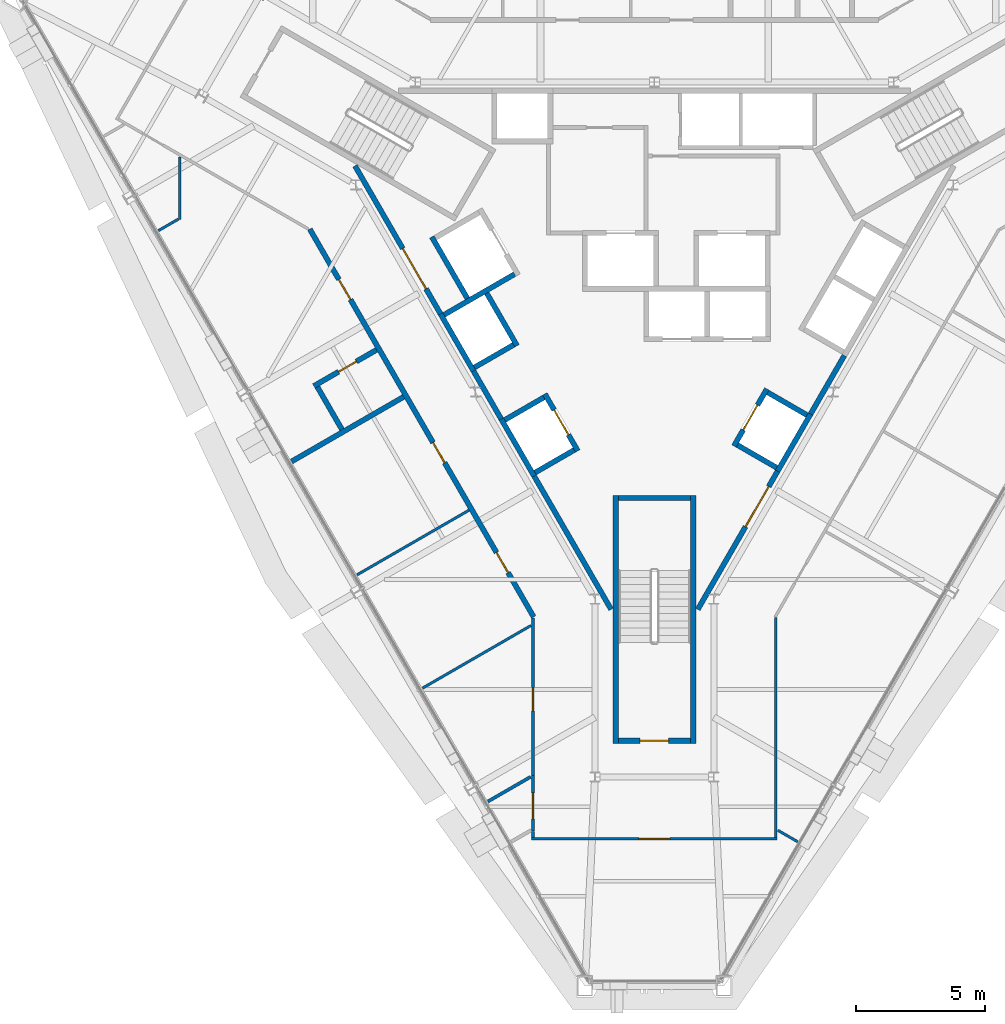
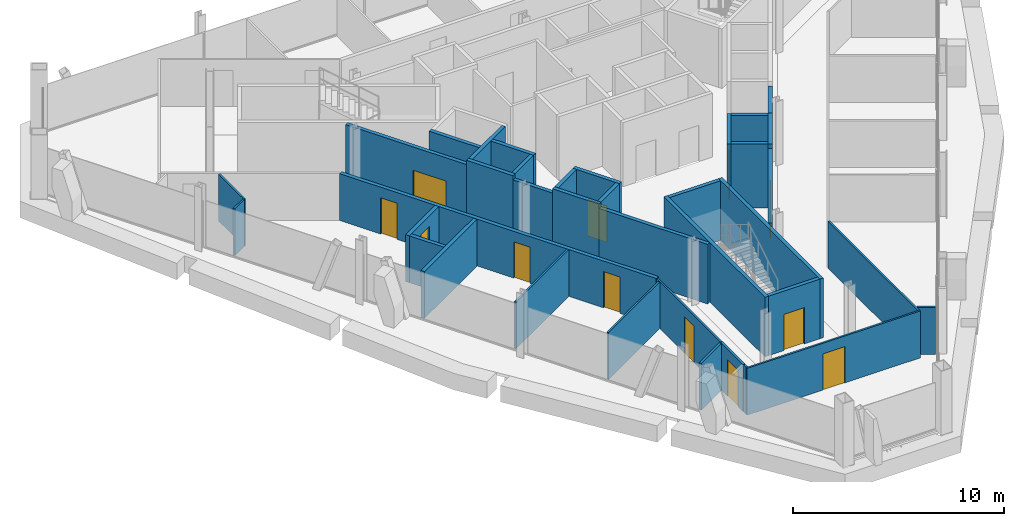
# One storey, part 9 of 14: 37 walls, 12 doors, 12 openings.
"""IFC4 building model written with IfcOpenShell, lengths in metres."""

from ifc_helpers import new_model, si_unit, direction, frame, frame_2d, origin, place, context, subcontext, project, spatial, rectangle, extrude, material, layer, layer_set, type_object, element, fill, save


model = new_model("IFC4")

# Units and contexts
model_context = context("Model", 3, precision=1e-05, world=origin(), true_north=direction((0.0, 1.0)))
body_context = subcontext(model_context, "Body", "Model", "MODEL_VIEW")
ifc_project = project(units=[si_unit("LENGTHUNIT", "METRE"), si_unit("AREAUNIT", "SQUARE_METRE"), si_unit("VOLUMEUNIT", "CUBIC_METRE"), si_unit("PLANEANGLEUNIT", "RADIAN"), si_unit("MASSUNIT", "GRAM", prefix="KILO")], contexts=[model_context])

# Site, building, storey
site_placement = place(None, origin())
site = spatial("IfcSite", under=ifc_project, at=site_placement, CompositionType="ELEMENT")
building_placement = place(site_placement, origin())
building = spatial("IfcBuilding", under=site, at=building_placement, Name="Verrane Prism Tower", CompositionType="ELEMENT")
storey_placement = place(building_placement, frame((0.0, 0.0, 224.89990234375)))
storey = spatial("IfcBuildingStorey", under=building, at=storey_placement, Name="L56", CompositionType="ELEMENT", Elevation=224.89990234375)

# Wall, opening, door
ifc_material_1 = material(Name="Gypsum board partition", Category="other")
ifc_layer_1 = layer(ifc_material_1, 0.199951171875)
ifc_layer_set_1 = layer_set([ifc_layer_1], Name="CW-200 core boundary wall 2 h")
wall_type_1 = type_object("IfcWallType", Name="CW-200 core boundary wall 2 h", PredefinedType="PARTITIONING", material=ifc_layer_set_1)
wall_1_placement = place(storey_placement, frame((-11.590576171875, 4.7548828125, 0.0), z_axis=(0.0, 0.0, 1.0), x_axis=(0.500043977787, -0.866000011708, 0.0)))
wall_1 = element("IfcWall", 1, at=wall_1_placement, inside=storey, type_object=wall_type_1, Name="Core boundary wall CW3-001", PredefinedType="PARTITIONING", context=body_context, shape_type="SweptSolid", body=[
    extrude(rectangle(XDim=6.61669921875, YDim=0.199951171875, at=frame_2d((3.308349609375, 0.0))), origin(), (0.0, 0.0, 1.0), 3.4501953125),
])
opening_1_placement = place(wall_1_placement, frame((3.695068359375, 0.0, 0.0)))
opening_1 = element("IfcOpeningElement", 2, at=opening_1_placement, cuts=wall_1, Name="Opening D54510", PredefinedType="OPENING", context=body_context, shape_type="SweptSolid", body=[
    extrude(rectangle(XDim=1.800048828125, YDim=2.10009765625, at=frame_2d((0.89990234375, 1.050048828125))), frame((0.0, 0.10986328125, 0.0), z_axis=(0.0, -1.0, 0.0), x_axis=(1.0, 0.0, 0.0)), (0.0, 0.0, 1.0), 0.219970703125),
])
ifc_material_2 = material(Name="Timber veneered door leaf", Category="wood")
door_type_1 = type_object("IfcDoorType", Name="DR-1800x2100 FD60 double leaf lift lobby", OperationType="NOTDEFINED", PredefinedType="DOOR", material=ifc_material_2)
door_1_placement = place(opening_1_placement, origin())
door_1 = element("IfcDoor", 3, at=door_1_placement, inside=storey, type_object=door_type_1, Name="Lift lobby door D54510", OperationType="DOUBLE_DOOR_SINGLE_SWING", OverallHeight=2.10009765625, OverallWidth=1.800048828125, PredefinedType="DOOR", context=body_context, shape_type="SweptSolid", body=[
    extrude(rectangle(XDim=1.800048828125, YDim=2.10009765625, at=frame_2d((0.89990234375, 1.050048828125))), frame((0.0, 0.02490234375, 0.0), z_axis=(0.0, -1.0, 0.0), x_axis=(1.0, 0.0, 0.0)), (0.0, 0.0, 1.0), 0.050048828125),
])
fill(opening_1, door_1)

# Walls
wall_2_placement = place(storey_placement, frame((-7.0048828125, -3.18701171875, 0.0), z_axis=(0.0, 0.0, 1.0), x_axis=(0.499689606989, -0.866204535123, 0.0)))
element("IfcWall", 4, at=wall_2_placement, inside=storey, type_object=wall_type_1, Name="Core boundary wall CW3-003", PredefinedType="PARTITIONING", context=body_context, shape_type="SweptSolid", body=[
    extrude(rectangle(XDim=2.144775390625, YDim=0.199951171875, at=frame_2d((1.072265625, 0.0))), origin(), (0.0, 0.0, 1.0), 3.4501953125),
])
wall_3_placement = place(storey_placement, frame((-4.655029296875, -7.257080078125, 0.0), z_axis=(0.0, 0.0, 1.0), x_axis=(0.499966124405, -0.866044960985, 0.0)))
element("IfcWall", 5, at=wall_3_placement, inside=storey, type_object=wall_type_1, Name="Core boundary wall CW3-004", PredefinedType="PARTITIONING", context=body_context, shape_type="SweptSolid", body=[
    extrude(rectangle(XDim=5.95556640625, YDim=0.199951171875, at=frame_2d((2.977783203125, 0.0))), origin(), (0.0, 0.0, 1.0), 3.4501953125),
])

# Wall, opening, door
wall_4_placement = place(storey_placement, frame((1.677490234375, -12.414794921875, 0.0), z_axis=(0.0, 0.0, 1.0), x_axis=(0.500054337157, 0.865994029939, 0.0)))
wall_4 = element("IfcWall", 6, at=wall_4_placement, inside=storey, type_object=wall_type_1, Name="Core boundary wall CW3-006", PredefinedType="PARTITIONING", context=body_context, shape_type="SweptSolid", body=[
    extrude(rectangle(XDim=6.176513671875, YDim=0.199951171875, at=frame_2d((3.08837890625, 0.0))), origin(), (0.0, 0.0, 1.0), 3.4501953125),
])
opening_2_placement = place(wall_4_placement, frame((3.695068359375, 0.0, 0.0)))
opening_2 = element("IfcOpeningElement", 7, at=opening_2_placement, cuts=wall_4, Name="Opening D54515", PredefinedType="OPENING", context=body_context, shape_type="SweptSolid", body=[
    extrude(rectangle(XDim=1.800048828125, YDim=2.10009765625, at=frame_2d((0.89990234375, 1.050048828125))), frame((0.0, 0.10986328125, 0.0), z_axis=(0.0, -1.0, 0.0), x_axis=(1.0, 0.0, 0.0)), (0.0, 0.0, 1.0), 0.219970703125),
])
door_2_placement = place(opening_2_placement, origin())
door_2 = element("IfcDoor", 8, at=door_2_placement, inside=storey, type_object=door_type_1, Name="Lift lobby door D54515", OperationType="DOUBLE_DOOR_SINGLE_SWING", OverallHeight=2.10009765625, OverallWidth=1.800048828125, PredefinedType="DOOR", context=body_context, shape_type="SweptSolid", body=[
    extrude(rectangle(XDim=1.800048828125, YDim=2.10009765625, at=frame_2d((0.89990234375, 1.050048828125))), frame((0.0, 0.02490234375, 0.0), z_axis=(0.0, -1.0, 0.0), x_axis=(1.0, 0.0, 0.0)), (0.0, 0.0, 1.0), 0.050048828125),
])
fill(opening_2, door_2)

# Wall
wall_5_placement = place(storey_placement, frame((6.0419921875, -4.85498046875, 0.0), z_axis=(0.0, 0.0, 1.0), x_axis=(0.500252727967, 0.865879442048, 0.0)))
element("IfcWall", 9, at=wall_5_placement, inside=storey, type_object=wall_type_1, Name="Core boundary wall CW3-007", PredefinedType="PARTITIONING", context=body_context, shape_type="SweptSolid", body=[
    extrude(rectangle(XDim=2.616943359375, YDim=0.199951171875, at=frame_2d((1.30859375, 0.0))), origin(), (0.0, 0.0, 1.0), 3.4501953125),
])

# Wall, opening, door
ifc_material_3 = material(Name="Concrete C40/50", Category="concrete")
ifc_layer_2 = layer(ifc_material_3, 0.199951171875)
ifc_layer_set_2 = layer_set([ifc_layer_2], Name="CW-200 stair core wall concrete C40/50 3 h")
wall_type_2 = type_object("IfcWallType", Name="CW-200 stair core wall concrete C40/50 3 h", PredefinedType="PARTITIONING", material=ifc_layer_set_2)
wall_6_placement = place(storey_placement, frame((-1.39990234375, -17.5, 0.0), z_axis=(0.0, 0.0, 1.0), x_axis=(1.0, 0.0, 0.0)))
wall_6 = element("IfcWall", 10, at=wall_6_placement, inside=storey, type_object=wall_type_2, Name="Stair 3 enclosure wall", PredefinedType="PARTITIONING", context=body_context, shape_type="SweptSolid", body=[
    extrude(rectangle(XDim=2.7998046875, YDim=0.199951171875, at=frame_2d((1.39990234375, 0.0))), origin(), (0.0, 0.0, 1.0), 3.4501953125),
])
opening_3_placement = place(wall_6_placement, frame((0.85009765625, 0.0, 0.0)))
opening_3 = element("IfcOpeningElement", 11, at=opening_3_placement, cuts=wall_6, Name="Opening D54502", PredefinedType="OPENING", context=body_context, shape_type="SweptSolid", body=[
    extrude(rectangle(XDim=1.10009765625, YDim=2.10009765625, at=frame_2d((0.550048828125, 1.050048828125))), frame((0.0, 0.10986328125, 0.0), z_axis=(0.0, -1.0, 0.0), x_axis=(1.0, 0.0, 0.0)), (0.0, 0.0, 1.0), 0.219970703125),
])
ifc_material_4 = material(Name="Timber veneered door leaf", Category="wood")
door_type_2 = type_object("IfcDoorType", Name="DR-1100x2100 FD90 single leaf stair", OperationType="NOTDEFINED", PredefinedType="DOOR", material=ifc_material_4)
door_3_placement = place(opening_3_placement, origin())
door_3 = element("IfcDoor", 12, at=door_3_placement, inside=storey, type_object=door_type_2, Name="Stair 3 door", OperationType="SINGLE_SWING_LEFT", OverallHeight=2.10009765625, OverallWidth=1.10009765625, PredefinedType="DOOR", context=body_context, shape_type="SweptSolid", body=[
    extrude(rectangle(XDim=1.10009765625, YDim=2.10009765625, at=frame_2d((0.550048828125, 1.050048828125))), frame((0.0, 0.02490234375, 0.0), z_axis=(0.0, -1.0, 0.0), x_axis=(1.0, 0.0, 0.0)), (0.0, 0.0, 1.0), 0.050048828125),
])
fill(opening_3, door_3)

# Walls
for number, where, z_axis, x_axis, name in (
    (13, (1.5, -8.0, 0.0), (0.0, 0.0, 1.0), (0.0, -1.0, 0.0), "Stair 3 enclosure wall"),
    (14, (-1.5, -8.0, 0.0), (0.0, 0.0, 1.0), (0.0, -1.0, 0.0), "Stair 3 enclosure wall"),
):
    element("IfcWall", number, at=place(storey_placement, frame(where, z_axis=z_axis, x_axis=x_axis)), inside=storey, type_object=wall_type_2, Name=name, PredefinedType="PARTITIONING", context=body_context, shape_type="SweptSolid", body=[
        extrude(rectangle(XDim=9.60009765625, YDim=0.199951171875, at=frame_2d((4.800048828125, 0.0))), origin(), (0.0, 0.0, 1.0), 3.4501953125),
    ])
wall_7_placement = place(storey_placement, frame((-1.39990234375, -8.10009765625, 0.0), z_axis=(0.0, 0.0, 1.0), x_axis=(1.0, 0.0, 0.0)))
element("IfcWall", 15, at=wall_7_placement, inside=storey, type_object=wall_type_2, Name="Stair 3 enclosure wall", PredefinedType="PARTITIONING", context=body_context, shape_type="SweptSolid", body=[
    extrude(rectangle(XDim=2.7998046875, YDim=0.199951171875, at=frame_2d((1.39990234375, 0.0))), origin(), (0.0, 0.0, 1.0), 3.4501953125),
])
ifc_material_5 = material(Name="Gypsum board shaft wall assembly", Category="other")
ifc_layer_3 = layer(ifc_material_5, 0.199951171875)
ifc_layer_set_3 = layer_set([ifc_layer_3], Name="HW-200 lift shaft wall 2 h")
wall_type_3 = type_object("IfcWallType", Name="HW-200 lift shaft wall 2 h", PredefinedType="PARTITIONING", material=ifc_layer_set_3)
for number, where, z_axis, x_axis, name in (
    (16, (-4.61962890625, -7.118408203125, 0.0), (0.0, 0.0, 1.0), (0.866036909293, 0.499980071345, 0.0), "Lift shaft wall"),
    (17, (-5.794677734375, -5.083251953125, 0.0), (0.0, 0.0, 1.0), (0.866036909293, 0.499980071345, 0.0), "Lift shaft wall"),
    (18, (-6.9697265625, -3.048095703125, 0.0), (0.0, 0.0, 1.0), (0.866036909293, 0.499980071345, 0.0), "Lift shaft wall"),
):
    element("IfcWall", number, at=place(storey_placement, frame(where, z_axis=z_axis, x_axis=x_axis)), inside=storey, type_object=wall_type_3, Name=name, PredefinedType="PARTITIONING", context=body_context, shape_type="SweptSolid", body=[
        extrude(rectangle(XDim=1.75, YDim=0.199951171875, at=frame_2d((0.875, 0.0))), origin(), (0.0, 0.0, 1.0), 3.7001953125),
    ])
wall_8_placement = place(storey_placement, frame((-8.14453125, -1.012939453125, 0.0), z_axis=(0.0, 0.0, 1.0), x_axis=(0.866016494683, 0.500015430699, 0.0)))
element("IfcWall", 19, at=wall_8_placement, inside=storey, type_object=wall_type_3, Name="Lift shaft wall", PredefinedType="PARTITIONING", context=body_context, shape_type="SweptSolid", body=[
    extrude(rectangle(XDim=3.14990234375, YDim=0.199951171875, at=frame_2d((1.574951171875, 0.0))), origin(), (0.0, 0.0, 1.0), 3.7001953125),
])
wall_9_placement = place(storey_placement, frame((4.766357421875, -7.064697265625, 0.0), z_axis=(0.0, 0.0, 1.0), x_axis=(0.499948979701, 0.866054858364, 0.0)))
element("IfcWall", 20, at=wall_9_placement, inside=storey, type_object=wall_type_3, Name="Lift shaft wall", PredefinedType="PARTITIONING", context=body_context, shape_type="SweptSolid", body=[
    extrude(rectangle(XDim=2.550048828125, YDim=0.199951171875, at=frame_2d((1.27490234375, 0.0))), origin(), (0.0, 0.0, 1.0), 3.7001953125),
])

# Wall, opening, door
wall_10_placement = place(storey_placement, frame((3.077392578125, -6.089599609375, 0.0), z_axis=(0.0, 0.0, 1.0), x_axis=(0.500062241894, 0.865989465428, 0.0)))
wall_10 = element("IfcWall", 21, at=wall_10_placement, inside=storey, type_object=wall_type_3, Name="Lift shaft wall", PredefinedType="PARTITIONING", context=body_context, shape_type="SweptSolid", body=[
    extrude(rectangle(XDim=2.550048828125, YDim=0.199951171875, at=frame_2d((1.27490234375, 0.0))), origin(), (0.0, 0.0, 1.0), 3.7001953125),
])
opening_4_placement = place(wall_10_placement, frame((0.72509765625, 0.0, 0.0)))
opening_4 = element("IfcOpeningElement", 22, at=opening_4_placement, cuts=wall_10, Name="Opening D54505", PredefinedType="OPENING", context=body_context, shape_type="SweptSolid", body=[
    extrude(rectangle(XDim=1.10009765625, YDim=2.10009765625, at=frame_2d((0.550048828125, 1.050048828125))), frame((0.0, 0.10986328125, 0.0), z_axis=(0.0, -1.0, 0.0), x_axis=(1.0, 0.0, 0.0)), (0.0, 0.0, 1.0), 0.219970703125),
])
ifc_material_6 = material(Name="Stainless steel sliding landing door", Category="steel")
door_type_3 = type_object("IfcDoorType", Name="LD-1100x2100 lift landing door FD90 sliding", OperationType="NOTDEFINED", PredefinedType="DOOR", material=ifc_material_6)
door_4_placement = place(opening_4_placement, origin())
door_4 = element("IfcDoor", 23, at=door_4_placement, inside=storey, type_object=door_type_3, Name="Bank B lift 3 landing door", OperationType="SLIDING_TO_LEFT", OverallHeight=2.10009765625, OverallWidth=1.10009765625, PredefinedType="DOOR", context=body_context, shape_type="SweptSolid", body=[
    extrude(rectangle(XDim=1.10009765625, YDim=2.10009765625, at=frame_2d((0.550048828125, 1.050048828125))), frame((0.0, 0.02490234375, 0.0), z_axis=(0.0, -1.0, 0.0), x_axis=(1.0, 0.0, 0.0)), (0.0, 0.0, 1.0), 0.050048828125),
])
fill(opening_4, door_4)

wall_11_placement = place(storey_placement, frame((-2.967529296875, -6.280029296875, 0.0), z_axis=(0.0, 0.0, 1.0), x_axis=(-0.499990435942, 0.866030925526, 0.0)))
wall_11 = element("IfcWall", 24, at=wall_11_placement, inside=storey, type_object=wall_type_3, Name="Lift shaft wall", PredefinedType="PARTITIONING", context=body_context, shape_type="SweptSolid", body=[
    extrude(rectangle(XDim=2.5498046875, YDim=0.199951171875, at=frame_2d((1.27490234375, 0.0))), origin(), (0.0, 0.0, 1.0), 3.7001953125),
])
opening_5_placement = place(wall_11_placement, frame((0.72509765625, 0.0, 0.0)))
opening_5 = element("IfcOpeningElement", 25, at=opening_5_placement, cuts=wall_11, Name="Opening D54506", PredefinedType="OPENING", context=body_context, shape_type="SweptSolid", body=[
    extrude(rectangle(XDim=1.10009765625, YDim=2.10009765625, at=frame_2d((0.550048828125, 1.050048828125))), frame((0.0, 0.10986328125, 0.0), z_axis=(0.0, -1.0, 0.0), x_axis=(1.0, 0.0, 0.0)), (0.0, 0.0, 1.0), 0.219970703125),
])
door_5_placement = place(opening_5_placement, origin())
door_5 = element("IfcDoor", 26, at=door_5_placement, inside=storey, type_object=door_type_3, Name="Bank B lift 4 landing door", OperationType="SLIDING_TO_RIGHT", OverallHeight=2.10009765625, OverallWidth=1.10009765625, PredefinedType="DOOR", context=body_context, shape_type="SweptSolid", body=[
    extrude(rectangle(XDim=1.10009765625, YDim=2.10009765625, at=frame_2d((0.550048828125, 1.050048828125))), frame((0.0, 0.02490234375, 0.0), z_axis=(0.0, -1.0, 0.0), x_axis=(1.0, 0.0, 0.0)), (0.0, 0.0, 1.0), 0.050048828125),
])
fill(opening_5, door_5)

# Walls
wall_12_placement = place(storey_placement, frame((-5.317626953125, -2.209716796875, 0.0), z_axis=(0.0, 0.0, 1.0), x_axis=(-0.499938297808, 0.866061024631, 0.0)))
element("IfcWall", 27, at=wall_12_placement, inside=storey, type_object=wall_type_3, Name="Lift shaft wall", PredefinedType="PARTITIONING", context=body_context, shape_type="SweptSolid", body=[
    extrude(rectangle(XDim=2.349853515625, YDim=0.199951171875, at=frame_2d((1.1748046875, 0.0))), origin(), (0.0, 0.0, 1.0), 3.7001953125),
])
wall_13_placement = place(storey_placement, frame((-7.241943359375, -0.37646484375, 0.0), z_axis=(0.0, 0.0, 1.0), x_axis=(-0.499996545922, 0.866027397988, 0.0)))
element("IfcWall", 28, at=wall_13_placement, inside=storey, type_object=wall_type_3, Name="Lift shaft wall", PredefinedType="PARTITIONING", context=body_context, shape_type="SweptSolid", body=[
    extrude(rectangle(XDim=2.75, YDim=0.199951171875, at=frame_2d((1.375, 0.0))), origin(), (0.0, 0.0, 1.0), 3.7001953125),
])
for number, where, z_axis, x_axis, name in (
    (29, (-4.65625, -7.255126953125, 0.0), (0.0, 0.0, 1.0), (-0.499990435942, 0.866030925526, 0.0), "Lift shaft wall"),
    (30, (-7.00634765625, -3.184814453125, 0.0), (0.0, 0.0, 1.0), (-0.499990435942, 0.866030925526, 0.0), "Lift shaft wall"),
):
    element("IfcWall", number, at=place(storey_placement, frame(where, z_axis=z_axis, x_axis=x_axis)), inside=storey, type_object=wall_type_3, Name=name, PredefinedType="PARTITIONING", context=body_context, shape_type="SweptSolid", body=[
        extrude(rectangle(XDim=2.5498046875, YDim=0.199951171875, at=frame_2d((1.27490234375, 0.0))), origin(), (0.0, 0.0, 1.0), 3.7001953125),
    ])
wall_14_placement = place(storey_placement, frame((5.904541015625, -4.892822265625, 0.0), z_axis=(0.0, 0.0, 1.0), x_axis=(-0.866002029911, 0.500040482552, 0.0)))
element("IfcWall", 31, at=wall_14_placement, inside=storey, type_object=wall_type_3, Name="Lift shaft wall", PredefinedType="PARTITIONING", context=body_context, shape_type="SweptSolid", body=[
    extrude(rectangle(XDim=1.749755859375, YDim=0.199951171875, at=frame_2d((0.875, 0.0))), origin(), (0.0, 0.0, 1.0), 3.7001953125),
])
wall_15_placement = place(storey_placement, frame((4.729736328125, -6.927978515625, 0.0), z_axis=(0.0, 0.0, 1.0), x_axis=(-0.866036909293, 0.499980071345, 0.0)))
element("IfcWall", 32, at=wall_15_placement, inside=storey, type_object=wall_type_3, Name="Lift shaft wall", PredefinedType="PARTITIONING", context=body_context, shape_type="SweptSolid", body=[
    extrude(rectangle(XDim=1.75, YDim=0.199951171875, at=frame_2d((0.875, 0.0))), origin(), (0.0, 0.0, 1.0), 3.7001953125),
])
ifc_material_7 = material(Name="Gypsum board partition", Category="other")
ifc_layer_4 = layer(ifc_material_7, 0.10009765625)
ifc_layer_set_4 = layer_set([ifc_layer_4], Name="PW-100 room partition")
wall_type_4 = type_object("IfcWallType", Name="PW-100 room partition", PredefinedType="PARTITIONING", material=ifc_layer_set_4)
wall_16_placement = place(storey_placement, frame((-19.201904296875, 2.2470703125, 0.0), z_axis=(0.0, 0.0, 1.0), x_axis=(0.86604424267, 0.499967368674, 0.0)))
element("IfcWall", 33, at=wall_16_placement, inside=storey, type_object=wall_type_4, Name="Room partition 004", PredefinedType="PARTITIONING", context=body_context, shape_type="SweptSolid", body=[
    extrude(rectangle(XDim=0.8916015625, YDim=0.10009765625, at=frame_2d((0.44580078125, 0.0))), origin(), (0.0, 0.0, 1.0), 2.713134765625),
])
wall_17_placement = place(storey_placement, frame((-18.368896484375, 2.677978515625, 0.0), z_axis=(0.0, 0.0, 1.0), x_axis=(0.0, 1.0, 0.0)))
element("IfcWall", 34, at=wall_17_placement, inside=storey, type_object=wall_type_4, Name="Room partition 005", PredefinedType="PARTITIONING", context=body_context, shape_type="SweptSolid", body=[
    extrude(rectangle(XDim=2.414306640625, YDim=0.10009765625, at=frame_2d((1.20703125, 0.0))), origin(), (0.0, 0.0, 1.0), 2.713134765625),
])
wall_18_placement = place(storey_placement, frame((-11.509765625, -11.075927734375, 0.0), z_axis=(0.0, 0.0, 1.0), x_axis=(0.866053039883, 0.499952129818, 0.0)))
element("IfcWall", 35, at=wall_18_placement, inside=storey, type_object=wall_type_4, Name="Room partition 011", PredefinedType="PARTITIONING", context=body_context, shape_type="SweptSolid", body=[
    extrude(rectangle(XDim=4.99951171875, YDim=0.10009765625, at=frame_2d((2.499755859375, 0.0))), origin(), (0.0, 0.0, 1.0), 2.713134765625),
])
wall_19_placement = place(storey_placement, frame((-8.976806640625, -15.463134765625, 0.0), z_axis=(0.0, 0.0, 1.0), x_axis=(0.866042300147, 0.4999707335, 0.0)))
element("IfcWall", 36, at=wall_19_placement, inside=storey, type_object=wall_type_4, Name="Room partition 013", PredefinedType="PARTITIONING", context=body_context, shape_type="SweptSolid", body=[
    extrude(rectangle(XDim=4.851806640625, YDim=0.10009765625, at=frame_2d((2.42578125, 0.0))), origin(), (0.0, 0.0, 1.0), 2.713134765625),
])
wall_20_placement = place(storey_placement, frame((-4.699951171875, -21.25, 0.0), z_axis=(0.0, 0.0, 1.0), x_axis=(0.0, 1.0, 0.0)))
element("IfcWall", 37, at=wall_20_placement, inside=storey, type_object=wall_type_4, Name="Room partition 018", PredefinedType="PARTITIONING", context=body_context, shape_type="SweptSolid", body=[
    extrude(rectangle(XDim=0.22802734375, YDim=0.10009765625, at=frame_2d((0.114013671875, 0.0))), origin(), (0.0, 0.0, 1.0), 2.713134765625),
])

# Wall, opening, door
wall_21_placement = place(storey_placement, frame((4.75, -21.300048828125, 0.0), z_axis=(0.0, 0.0, 1.0), x_axis=(-1.0, 0.0, 0.0)))
wall_21 = element("IfcWall", 38, at=wall_21_placement, inside=storey, type_object=wall_type_4, Name="Room partition 019", PredefinedType="PARTITIONING", context=body_context, shape_type="SweptSolid", body=[
    extrude(rectangle(XDim=9.5, YDim=0.10009765625, at=frame_2d((4.75, 0.0))), origin(), (0.0, 0.0, 1.0), 2.713134765625),
])
opening_6_placement = place(wall_21_placement, frame((4.14990234375, 0.0, 0.0)))
opening_6 = element("IfcOpeningElement", 39, at=opening_6_placement, cuts=wall_21, Name="Opening D54020", PredefinedType="OPENING", context=body_context, shape_type="SweptSolid", body=[
    extrude(rectangle(XDim=1.199951171875, YDim=2.10009765625, at=frame_2d((0.60009765625, 1.050048828125))), frame((0.0, 0.06005859375, 0.0), z_axis=(0.0, -1.0, 0.0), x_axis=(1.0, 0.0, 0.0)), (0.0, 0.0, 1.0), 0.1201171875),
])
ifc_material_8 = material(Name="Timber veneered door leaf", Category="wood")
door_type_4 = type_object("IfcDoorType", Name="DR-1200x2100 single leaf unit", OperationType="NOTDEFINED", PredefinedType="DOOR", material=ifc_material_8)
door_6_placement = place(opening_6_placement, origin())
door_6 = element("IfcDoor", 40, at=door_6_placement, inside=storey, type_object=door_type_4, Name="Living And Dining Room door", OperationType="SINGLE_SWING_LEFT", OverallHeight=2.10009765625, OverallWidth=1.199951171875, PredefinedType="DOOR", context=body_context, shape_type="SweptSolid", body=[
    extrude(rectangle(XDim=1.199951171875, YDim=2.10009765625, at=frame_2d((0.60009765625, 1.050048828125))), frame((0.0, 0.02490234375, 0.0), z_axis=(0.0, -1.0, 0.0), x_axis=(1.0, 0.0, 0.0)), (0.0, 0.0, 1.0), 0.050048828125),
])
fill(opening_6, door_6)

wall_22_placement = place(storey_placement, frame((-4.699951171875, -18.843994140625, 0.0), z_axis=(0.0, 0.0, 1.0), x_axis=(0.0, 1.0, 0.0)))
wall_22 = element("IfcWall", 41, at=wall_22_placement, inside=storey, type_object=wall_type_4, Name="Room partition 021", PredefinedType="PARTITIONING", context=body_context, shape_type="SweptSolid", body=[
    extrude(rectangle(XDim=6.095947265625, YDim=0.10009765625, at=frame_2d((3.0478515625, 0.0))), origin(), (0.0, 0.0, 1.0), 2.713134765625),
])
opening_7_placement = place(wall_22_placement, frame((2.5, 0.0, 0.0)))
opening_7 = element("IfcOpeningElement", 42, at=opening_7_placement, cuts=wall_22, Name="Opening D54019", PredefinedType="OPENING", context=body_context, shape_type="SweptSolid", body=[
    extrude(rectangle(XDim=0.89990234375, YDim=2.10009765625, at=frame_2d((0.449951171875, 1.050048828125))), frame((0.0, 0.06005859375, 0.0), z_axis=(0.0, -1.0, 0.0), x_axis=(1.0, 0.0, 0.0)), (0.0, 0.0, 1.0), 0.1201171875),
])
ifc_material_9 = material(Name="Timber veneered door leaf", Category="wood")
door_type_5 = type_object("IfcDoorType", Name="DR-900x2100 single leaf unit", OperationType="NOTDEFINED", PredefinedType="DOOR", material=ifc_material_9)
door_7_placement = place(opening_7_placement, origin())
door_7 = element("IfcDoor", 43, at=door_7_placement, inside=storey, type_object=door_type_5, Name="Study door", OperationType="SINGLE_SWING_LEFT", OverallHeight=2.10009765625, OverallWidth=0.89990234375, PredefinedType="DOOR", context=body_context, shape_type="SweptSolid", body=[
    extrude(rectangle(XDim=0.89990234375, YDim=2.10009765625, at=frame_2d((0.449951171875, 1.050048828125))), frame((0.0, 0.02490234375, 0.0), z_axis=(0.0, -1.0, 0.0), x_axis=(1.0, 0.0, 0.0)), (0.0, 0.0, 1.0), 0.050048828125),
])
fill(opening_7, door_7)

# Walls
wall_23_placement = place(storey_placement, frame((4.699951171875, -21.25, 0.0), z_axis=(0.0, 0.0, 1.0), x_axis=(0.0, 1.0, 0.0)))
element("IfcWall", 44, at=wall_23_placement, inside=storey, type_object=wall_type_4, Name="Room partition 025", PredefinedType="PARTITIONING", context=body_context, shape_type="SweptSolid", body=[
    extrude(rectangle(XDim=8.51708984375, YDim=0.10009765625, at=frame_2d((4.258544921875, 0.0))), origin(), (0.0, 0.0, 1.0), 2.713134765625),
])
wall_24_placement = place(storey_placement, frame((4.77490234375, -20.96533203125, 0.0), z_axis=(0.0, 0.0, 1.0), x_axis=(0.866103179807, -0.499865263774, 0.0)))
element("IfcWall", 45, at=wall_24_placement, inside=storey, type_object=wall_type_4, Name="Room partition 026", PredefinedType="PARTITIONING", context=body_context, shape_type="SweptSolid", body=[
    extrude(rectangle(XDim=0.887939453125, YDim=0.10009765625, at=frame_2d((0.44384765625, 0.0))), origin(), (0.0, 0.0, 1.0), 2.713134765625),
])
ifc_material_10 = material(Name="Gypsum board partition", Category="other")
ifc_layer_5 = layer(ifc_material_10, 0.125)
ifc_layer_set_5 = layer_set([ifc_layer_5], Name="PW-125 corridor wall 1 h")
wall_type_5 = type_object("IfcWallType", Name="PW-125 corridor wall 1 h", PredefinedType="PARTITIONING", material=ifc_layer_set_5)
wall_25_placement = place(storey_placement, frame((-6.44384765625, -19.85009765625, 0.0), z_axis=(0.0, 0.0, 1.0), x_axis=(0.866172805685, 0.499744605466, 0.0)))
element("IfcWall", 46, at=wall_25_placement, inside=storey, type_object=wall_type_5, Name="Corridor wall 015", PredefinedType="PARTITIONING", context=body_context, shape_type="SweptSolid", body=[
    extrude(rectangle(XDim=1.908203125, YDim=0.125, at=frame_2d((0.9541015625, 0.0))), origin(), (0.0, 0.0, 1.0), 2.713134765625),
])

# Wall, opening, door
wall_26_placement = place(storey_placement, frame((-4.699951171875, -18.846435546875, 0.0), z_axis=(0.0, 0.0, 1.0), x_axis=(0.0, -1.0, 0.0)))
wall_26 = element("IfcWall", 47, at=wall_26_placement, inside=storey, type_object=wall_type_5, Name="Corridor wall 020", PredefinedType="PARTITIONING", context=body_context, shape_type="SweptSolid", body=[
    extrude(rectangle(XDim=2.13818359375, YDim=0.125, at=frame_2d((1.069091796875, 0.0))), origin(), (0.0, 0.0, 1.0), 2.713134765625),
])
opening_8_placement = place(wall_26_placement, frame((0.675537109375, 0.0, 0.0)))
opening_8 = element("IfcOpeningElement", 48, at=opening_8_placement, cuts=wall_26, Name="Opening D54021", PredefinedType="OPENING", context=body_context, shape_type="SweptSolid", body=[
    extrude(rectangle(XDim=1.0, YDim=2.10009765625, at=frame_2d((0.5, 1.050048828125))), frame((0.0, 0.072509765625, 0.0), z_axis=(0.0, -1.0, 0.0), x_axis=(1.0, 0.0, 0.0)), (0.0, 0.0, 1.0), 0.14501953125),
])
ifc_material_11 = material(Name="Timber veneered door leaf", Category="wood")
door_type_6 = type_object("IfcDoorType", Name="DR-1000x2100 FD20 single leaf unit", OperationType="NOTDEFINED", PredefinedType="DOOR", material=ifc_material_11)
door_8_placement = place(opening_8_placement, origin())
door_8 = element("IfcDoor", 49, at=door_8_placement, inside=storey, type_object=door_type_6, Name="Entrance Hall door", OperationType="SINGLE_SWING_RIGHT", OverallHeight=2.10009765625, OverallWidth=1.0, PredefinedType="DOOR", context=body_context, shape_type="SweptSolid", body=[
    extrude(rectangle(XDim=1.0, YDim=2.10009765625, at=frame_2d((0.5, 1.050048828125))), frame((0.0, 0.02490234375, 0.0), z_axis=(0.0, -1.0, 0.0), x_axis=(1.0, 0.0, 0.0)), (0.0, 0.0, 1.0), 0.050048828125),
])
fill(opening_8, door_8)

# Wall
ifc_material_12 = material(Name="Gypsum board partition", Category="other")
ifc_layer_6 = layer(ifc_material_12, 0.199951171875)
ifc_layer_set_6 = layer_set([ifc_layer_6], Name="PW-200 plumbing wall")
wall_type_6 = type_object("IfcWallType", Name="PW-200 plumbing wall", PredefinedType="PARTITIONING", material=ifc_layer_set_6)
wall_27_placement = place(storey_placement, frame((-14.042724609375, -6.68896484375, 0.0), z_axis=(0.0, 0.0, 1.0), x_axis=(0.866053039883, 0.499952129818, 0.0)))
element("IfcWall", 50, at=wall_27_placement, inside=storey, type_object=wall_type_6, Name="Plumbing wall 007", PredefinedType="PARTITIONING", context=body_context, shape_type="SweptSolid", body=[
    extrude(rectangle(XDim=4.99951171875, YDim=0.199951171875, at=frame_2d((2.499755859375, 0.0))), origin(), (0.0, 0.0, 1.0), 2.713134765625),
])

# Wall, openings, doors
wall_28_placement = place(storey_placement, frame((-4.675048828125, -12.706298828125, 0.0), z_axis=(0.0, 0.0, 1.0), x_axis=(-0.49997440863, 0.866040178465, 0.0)))
wall_28 = element("IfcWall", 51, at=wall_28_placement, inside=storey, type_object=wall_type_6, Name="Plumbing wall 008", PredefinedType="PARTITIONING", context=body_context, shape_type="SweptSolid", body=[
    extrude(rectangle(XDim=17.3349609375, YDim=0.199951171875, at=frame_2d((8.66748046875, 0.0))), origin(), (0.0, 0.0, 1.0), 2.713134765625),
])
opening_9_placement = place(wall_28_placement, frame((14.184814453125, 0.0, 0.0)))
opening_9 = element("IfcOpeningElement", 52, at=opening_9_placement, cuts=wall_28, Name="Opening D54015", PredefinedType="OPENING", context=body_context, shape_type="SweptSolid", body=[
    extrude(rectangle(XDim=0.89990234375, YDim=2.10009765625, at=frame_2d((0.449951171875, 1.050048828125))), frame((0.0, 0.10986328125, 0.0), z_axis=(0.0, -1.0, 0.0), x_axis=(1.0, 0.0, 0.0)), (0.0, 0.0, 1.0), 0.219970703125),
])
opening_10_placement = place(wall_28_placement, frame((6.894775390625, 0.0, 0.0)))
opening_10 = element("IfcOpeningElement", 53, at=opening_10_placement, cuts=wall_28, Name="Opening D54017", PredefinedType="OPENING", context=body_context, shape_type="SweptSolid", body=[
    extrude(rectangle(XDim=0.89990234375, YDim=2.10009765625, at=frame_2d((0.449951171875, 1.050048828125))), frame((0.0, 0.10986328125, 0.0), z_axis=(0.0, -1.0, 0.0), x_axis=(1.0, 0.0, 0.0)), (0.0, 0.0, 1.0), 0.219970703125),
])
opening_11_placement = place(wall_28_placement, frame((1.978759765625, 0.0, 0.0)))
opening_11 = element("IfcOpeningElement", 54, at=opening_11_placement, cuts=wall_28, Name="Opening D54018", PredefinedType="OPENING", context=body_context, shape_type="SweptSolid", body=[
    extrude(rectangle(XDim=0.89990234375, YDim=2.10009765625, at=frame_2d((0.449951171875, 1.050048828125))), frame((0.0, 0.10986328125, 0.0), z_axis=(0.0, -1.0, 0.0), x_axis=(1.0, 0.0, 0.0)), (0.0, 0.0, 1.0), 0.219970703125),
])
ifc_material_13 = material(Name="Timber veneered door leaf", Category="wood")
door_type_7 = type_object("IfcDoorType", Name="DR-900x2100 single leaf inner", OperationType="NOTDEFINED", PredefinedType="DOOR", material=ifc_material_13)
door_9_placement = place(opening_9_placement, origin())
door_9 = element("IfcDoor", 55, at=door_9_placement, inside=storey, type_object=door_type_7, Name="Bedroom door", OperationType="SINGLE_SWING_RIGHT", OverallHeight=2.10009765625, OverallWidth=0.89990234375, PredefinedType="DOOR", context=body_context, shape_type="SweptSolid", body=[
    extrude(rectangle(XDim=0.89990234375, YDim=2.10009765625, at=frame_2d((0.449951171875, 1.050048828125))), frame((0.0, 0.02490234375, 0.0), z_axis=(0.0, -1.0, 0.0), x_axis=(1.0, 0.0, 0.0)), (0.0, 0.0, 1.0), 0.050048828125),
])
fill(opening_9, door_9)
door_10_placement = place(opening_10_placement, origin())
door_10 = element("IfcDoor", 56, at=door_10_placement, inside=storey, type_object=door_type_5, Name="Study door", OperationType="SINGLE_SWING_RIGHT", OverallHeight=2.10009765625, OverallWidth=0.89990234375, PredefinedType="DOOR", context=body_context, shape_type="SweptSolid", body=[
    extrude(rectangle(XDim=0.89990234375, YDim=2.10009765625, at=frame_2d((0.449951171875, 1.050048828125))), frame((0.0, 0.02490234375, 0.0), z_axis=(0.0, -1.0, 0.0), x_axis=(1.0, 0.0, 0.0)), (0.0, 0.0, 1.0), 0.050048828125),
])
fill(opening_10, door_10)
door_11_placement = place(opening_11_placement, origin())
door_11 = element("IfcDoor", 57, at=door_11_placement, inside=storey, type_object=door_type_5, Name="Study door", OperationType="SINGLE_SWING_LEFT", OverallHeight=2.10009765625, OverallWidth=0.89990234375, PredefinedType="DOOR", context=body_context, shape_type="SweptSolid", body=[
    extrude(rectangle(XDim=0.89990234375, YDim=2.10009765625, at=frame_2d((0.449951171875, 1.050048828125))), frame((0.0, 0.02490234375, 0.0), z_axis=(0.0, -1.0, 0.0), x_axis=(1.0, 0.0, 0.0)), (0.0, 0.0, 1.0), 0.050048828125),
])
fill(opening_11, door_11)

# Wall
wall_29_placement = place(storey_placement, frame((-13.047119140625, -3.8046875, 0.0), z_axis=(0.0, 0.0, 1.0), x_axis=(0.499949193323, -0.866054735046, 0.0)))
element("IfcWall", 58, at=wall_29_placement, inside=storey, type_object=wall_type_6, Name="Plumbing wall 009", PredefinedType="PARTITIONING", context=body_context, shape_type="SweptSolid", body=[
    extrude(rectangle(XDim=1.895263671875, YDim=0.199951171875, at=frame_2d((0.94775390625, 0.0))), origin(), (0.0, 0.0, 1.0), 2.713134765625),
])

# Wall, opening, door
wall_30_placement = place(storey_placement, frame((-10.762939453125, -2.37060546875, 0.0), z_axis=(0.0, 0.0, 1.0), x_axis=(-0.866041588165, -0.499971966783, 0.0)))
wall_30 = element("IfcWall", 59, at=wall_30_placement, inside=storey, type_object=wall_type_6, Name="Plumbing wall 010", PredefinedType="PARTITIONING", context=body_context, shape_type="SweptSolid", body=[
    extrude(rectangle(XDim=2.795166015625, YDim=0.199951171875, at=frame_2d((1.3974609375, 0.0))), origin(), (0.0, 0.0, 1.0), 2.713134765625),
])
opening_12_placement = place(wall_30_placement, frame((0.89501953125, 0.0, 0.0)))
opening_12 = element("IfcOpeningElement", 60, at=opening_12_placement, cuts=wall_30, Name="Opening D54016", PredefinedType="OPENING", context=body_context, shape_type="SweptSolid", body=[
    extrude(rectangle(XDim=0.800048828125, YDim=2.10009765625, at=frame_2d((0.39990234375, 1.050048828125))), frame((0.0, 0.10986328125, 0.0), z_axis=(0.0, -1.0, 0.0), x_axis=(1.0, 0.0, 0.0)), (0.0, 0.0, 1.0), 0.219970703125),
])
ifc_material_14 = material(Name="Timber veneered door leaf", Category="wood")
door_type_8 = type_object("IfcDoorType", Name="DR-800x2100 single leaf bath", OperationType="NOTDEFINED", PredefinedType="DOOR", material=ifc_material_14)
door_12_placement = place(opening_12_placement, origin())
door_12 = element("IfcDoor", 61, at=door_12_placement, inside=storey, type_object=door_type_8, Name="Bathroom door", OperationType="SINGLE_SWING_LEFT", OverallHeight=2.10009765625, OverallWidth=0.800048828125, PredefinedType="DOOR", context=body_context, shape_type="SweptSolid", body=[
    extrude(rectangle(XDim=0.800048828125, YDim=2.10009765625, at=frame_2d((0.39990234375, 1.050048828125))), frame((0.0, 0.02490234375, 0.0), z_axis=(0.0, -1.0, 0.0), x_axis=(1.0, 0.0, 0.0)), (0.0, 0.0, 1.0), 0.050048828125),
])
fill(opening_12, door_12)

save(model, "model.ifc")
